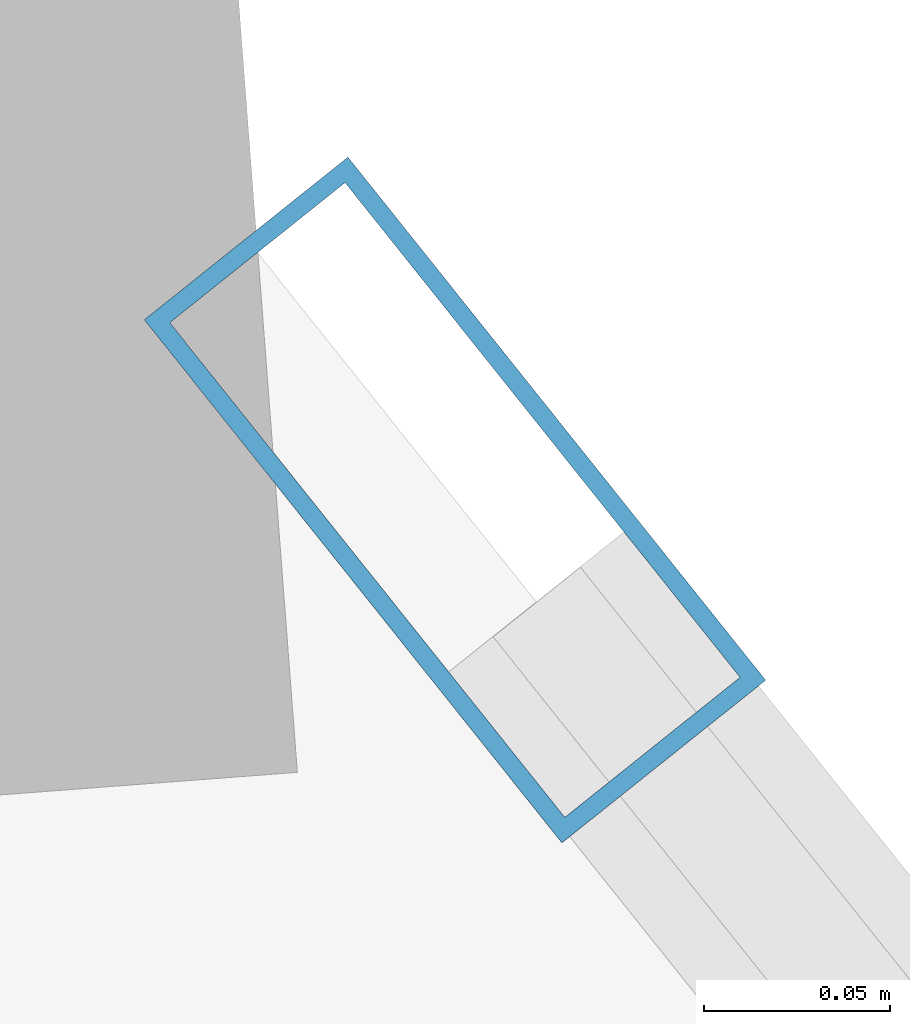
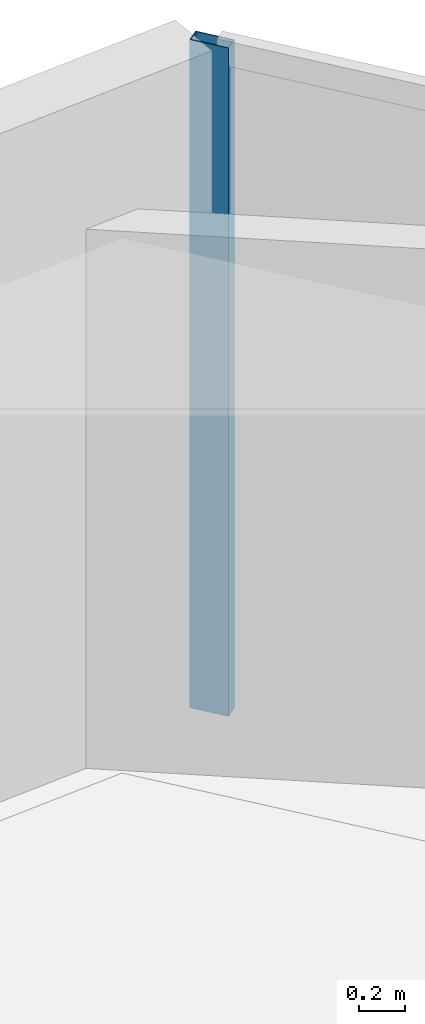
# One storey, part 15 of 23: 1 member, 1 element without a shape of its own.
"""IFC4 building model written with IfcOpenShell, lengths in metres."""

from ifc_helpers import new_model, si_unit, direction, frame, origin, origin_2d, place, context, subcontext, project, spatial, hollow_rectangle, extrude, material, layer, layer_set, material_profile, profile_set, type_object, element, aggregate, save


model = new_model("IFC4")

# Units and contexts
model_context = context("Model", 3, precision=1e-05, world=origin(), true_north=direction((0.0, 1.0)))
body_context = subcontext(model_context, "Body", "Model", "MODEL_VIEW")
ifc_project = project(units=[si_unit("LENGTHUNIT", "METRE"), si_unit("AREAUNIT", "SQUARE_METRE"), si_unit("VOLUMEUNIT", "CUBIC_METRE"), si_unit("PLANEANGLEUNIT", "RADIAN"), si_unit("MASSUNIT", "GRAM", prefix="KILO")], contexts=[model_context])

# Site, building, storey
site_placement = place(None, origin())
site = spatial("IfcSite", under=ifc_project, at=site_placement, CompositionType="ELEMENT")
building_placement = place(site_placement, origin())
building = spatial("IfcBuilding", under=site, at=building_placement, Name="Qianvela Tower", CompositionType="ELEMENT")
storey_placement = place(building_placement, frame((0.0, 0.0, 29.39990234375)))
storey = spatial("IfcBuildingStorey", under=building, at=storey_placement, Name="L06", CompositionType="ELEMENT", Elevation=29.39990234375)

# Curtain wall, member
ifc_material_1 = material(Name="Anodised Architectural Aluminium and Low-E Glass", Category="aluminium")
ifc_layer = layer(ifc_material_1, 0.179931640625)
ifc_layer_set = layer_set([ifc_layer], Name="Anodised Architectural Aluminium and Low-E Glass")
curtain_wall_type = type_object("IfcCurtainWallType", Name="CW-COLIV-Z12", PredefinedType="USERDEFINED", material=ifc_layer_set)
curtain_wall_placement = place(storey_placement, origin())
curtain_wall = element("IfcCurtainWall", 1, at=curtain_wall_placement, inside=storey, type_object=curtain_wall_type, Name="L06 CW-COLIV-Z12 Curtain Wall 02C", ObjectType="CURTAIN_WALL_SYSTEM", PredefinedType="USERDEFINED")
ifc_material_2 = material(Name="Anodised Architectural Aluminium 6063-T6", Category="aluminium")
ifc_material_profile = material_profile(ifc_material_2, hollow_rectangle(XDim=0.070068359375, YDim=0.179931640625, WallThickness=0.0048828125, at=origin_2d()), Name="ALU-MULL-70x180")
ifc_profile_set = profile_set([ifc_material_profile], Name="Anodised Architectural Aluminium 6063-T6")
member_type = type_object("IfcMemberType", Name="CW-COLIV-Z12-MULL", PredefinedType="MULLION", material=ifc_profile_set)
member_placement = place(storey_placement, frame((40.200439453125, 44.3466796875, 0.0), z_axis=(0.0, 0.0, 1.0), x_axis=(-0.781444431987, -0.623974839009, 0.0)))
member = element("IfcMember", 2, at=member_placement, type_object=member_type, Name="CW-3 mullion 2", PredefinedType="MULLION", context=body_context, shape_type="SweptSolid", body=[
    extrude(hollow_rectangle(XDim=0.070068359375, YDim=0.179931640625, WallThickness=0.0048828125, at=origin_2d()), origin(), (0.0, 0.0, 1.0), 3.52001953125),
])
aggregate(curtain_wall, [member])

save(model, "model.ifc")
